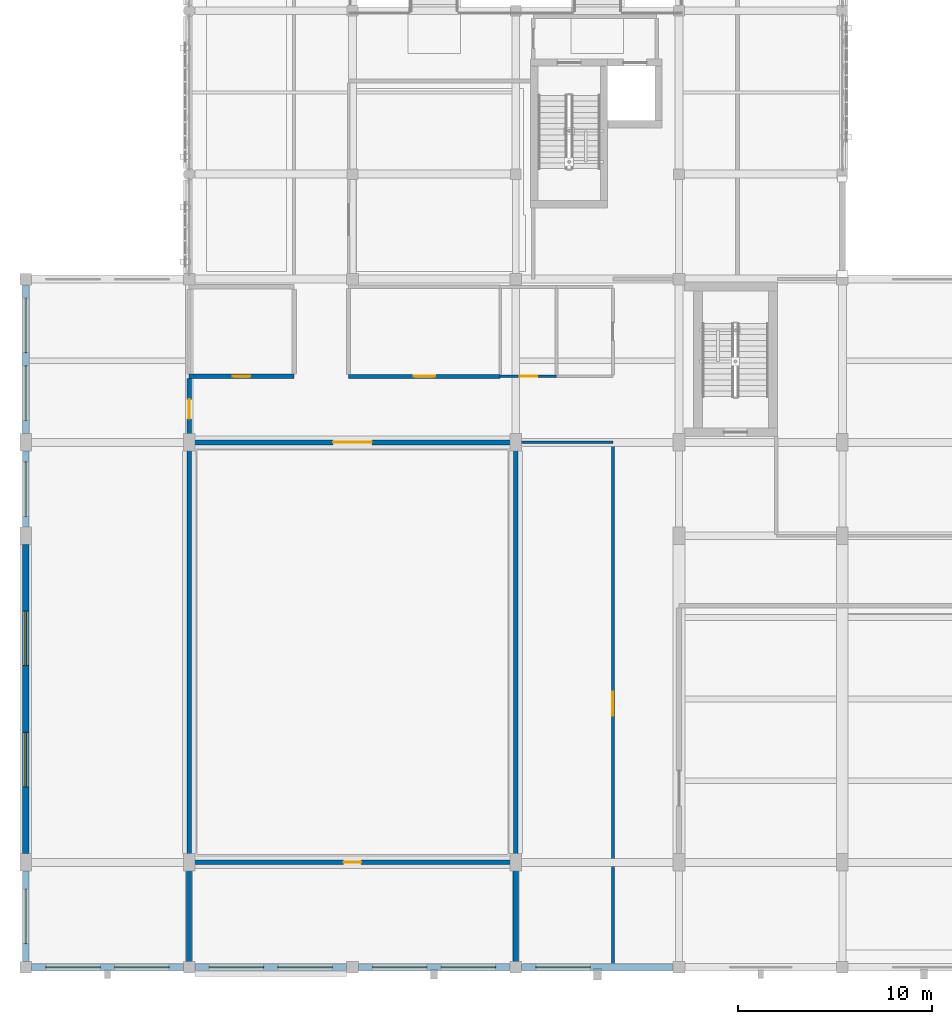
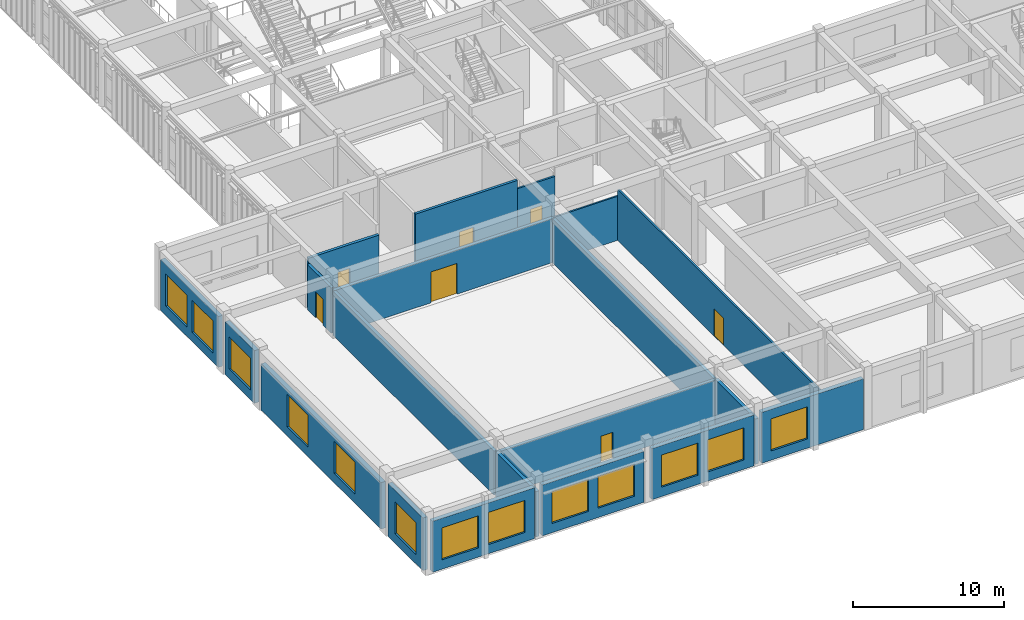
# One storey, part 71 of 93: 20 walls, 13 windows, 7 doors, 20 openings.
"""IFC4 building model written with IfcOpenShell, lengths in metres."""

import ifcopenshell
import ifcopenshell.guid

model = None  # the IFC model being written
_history = None  # IfcOwnerHistory: only IFC2X3 demands one
_inside = {}  # id of a spatial element -> (the spatial element, [elements in it])
_under = {}  # id of a project, library or spatial element -> (it, [spatial elements below it])
_declared = {}  # id of a project -> (the project, [libraries it declares])
_typed = {}  # id of a type object -> (the type object, [elements of that type])
_made_of = {}  # id of a material, layer set ... -> (it, [elements and type objects made of it])


def new_model(schema):
    """Start an empty IFC model of exactly this schema.

    Asked for "IFC4X3", IfcOpenShell would pick the latest addendum, in which some entities
    have other attributes; the version numbers below select the first issue.
    IFC2X3 requires an IfcOwnerHistory on every rooted entity: one is made here for all.
    """
    global model, _history
    if schema == "IFC4X3":
        model = ifcopenshell.file(schema_version=(4, 3, 0, 0))
    else:
        model = ifcopenshell.file(schema=schema)
    _inside.clear()
    _under.clear()
    _declared.clear()
    _typed.clear()
    _made_of.clear()
    _history = None
    if model.schema == "IFC2X3":
        org = make("IfcOrganization", Name="unknown")
        user = make(
            "IfcPersonAndOrganization",
            ThePerson=make("IfcPerson", FamilyName="unknown"),
            TheOrganization=org,
        )
        app = make(
            "IfcApplication",
            ApplicationDeveloper=org,
            Version="unknown",
            ApplicationFullName="unknown",
            ApplicationIdentifier="unknown",
        )
        _history = make(
            "IfcOwnerHistory",
            OwningUser=user,
            OwningApplication=app,
            ChangeAction="ADDED",
            CreationDate=0,
        )
    return model


def make(cls, **values):
    """One entity of the class cls with the attributes given. An attribute that is None is left unset."""
    return model.create_entity(
        cls, **{name: value for name, value in values.items() if value is not None}
    )


def rooted(cls, **values):
    """An entity with a GlobalId (a new one), such as an element, a storey or a relation."""
    return make(cls, GlobalId=ifcopenshell.guid.new(), OwnerHistory=_history, **values)


def si_unit(unit_type, name, prefix=None):
    """IfcSIUnit, for example si_unit("LENGTHUNIT", "METRE", prefix="MILLI")."""
    return make("IfcSIUnit", UnitType=unit_type, Prefix=prefix, Name=name)


def assignment(units):
    """IfcUnitAssignment: the units of a project."""
    return None if units is None else make("IfcUnitAssignment", Units=units)


def point(xyz):
    """IfcCartesianPoint."""
    return None if xyz is None else make("IfcCartesianPoint", Coordinates=xyz)


def direction(xyz):
    """IfcDirection."""
    return None if xyz is None else make("IfcDirection", DirectionRatios=xyz)


def frame(location, z_axis=None, x_axis=None):
    """IfcAxis2Placement3D, a coordinate frame: its origin and axes. An axis left out is left unset."""
    return make(
        "IfcAxis2Placement3D",
        Location=point(location),
        Axis=direction(z_axis),
        RefDirection=direction(x_axis),
    )


def frame_2d(location, x_axis=None):
    """IfcAxis2Placement2D, a coordinate frame in the plane: its origin and x axis."""
    return make(
        "IfcAxis2Placement2D", Location=point(location), RefDirection=direction(x_axis)
    )


def origin():
    """The frame at (0, 0, 0) with its axes left unset."""
    return frame((0.0, 0.0, 0.0))


def place(relative_to, where):
    """IfcLocalPlacement: puts the frame where relative to a parent placement (None: the world)."""
    return make(
        "IfcLocalPlacement", PlacementRelTo=relative_to, RelativePlacement=where
    )


def context(
    kind, dimensions, precision=None, world=None, true_north=None, identifier=None
):
    """IfcGeometricRepresentationContext, for example the 3D "Model" context."""
    return make(
        "IfcGeometricRepresentationContext",
        ContextIdentifier=identifier,
        ContextType=kind,
        CoordinateSpaceDimension=dimensions,
        Precision=precision,
        WorldCoordinateSystem=world,
        TrueNorth=true_north,
    )


def subcontext(parent, identifier, kind, view, scale=None):
    """IfcGeometricRepresentationSubContext, for example "Body" below "Model"."""
    return make(
        "IfcGeometricRepresentationSubContext",
        ContextIdentifier=identifier,
        ContextType=kind,
        ParentContext=parent,
        TargetScale=scale,
        TargetView=view,
    )


def project(units=None, contexts=None):
    """IfcProject with its units and contexts."""
    return rooted(
        "IfcProject",
        Name="project",
        RepresentationContexts=contexts,
        UnitsInContext=assignment(units),
    )


def spatial(cls, under=None, at=None, **own):
    """A site, building, storey or space (cls), placed at a placement, below another one or the project."""
    s = rooted(cls, ObjectPlacement=at, **own)
    if under is not None:
        _under.setdefault(under.id(), (under, []))[1].append(s)
    return s


def profile(cls, at=None, kind="AREA", **sizes):
    """A parametric profile (cls). Its sizes go by their IFC names, for example OverallWidth=200.0."""
    return make(cls, ProfileType=kind, Position=at, **sizes)


def rectangle(**sizes):
    """IfcRectangleProfileDef."""
    return profile("IfcRectangleProfileDef", **sizes)


def extrude(swept, where, along, depth):
    """IfcExtrudedAreaSolid: the profile swept, set in the frame where, extruded along a direction by depth."""
    return make(
        "IfcExtrudedAreaSolid",
        SweptArea=swept,
        Position=where,
        ExtrudedDirection=direction(along),
        Depth=depth,
    )


def shape(context_of_items, identifier, shape_type, items):
    """IfcShapeRepresentation: the items that make up one representation, for example the "Body"."""
    return make(
        "IfcShapeRepresentation",
        ContextOfItems=context_of_items,
        RepresentationIdentifier=identifier,
        RepresentationType=shape_type,
        Items=items,
    )


def material(Name=None, Category=None):
    """IfcMaterial."""
    return make("IfcMaterial", Name=Name, Category=Category)


def layer(
    of_material, thickness, ventilated=None, Name=None, Category=None, Priority=None
):
    """IfcMaterialLayer: one layer of a wall or slab, of a material (None: an air gap)."""
    return make(
        "IfcMaterialLayer",
        Material=of_material,
        LayerThickness=thickness,
        IsVentilated=ventilated,
        Name=Name,
        Category=Category,
        Priority=Priority,
    )


def layer_set(layers, Name=None):
    """IfcMaterialLayerSet."""
    return make("IfcMaterialLayerSet", MaterialLayers=layers, LayerSetName=Name)


def made_of(thing, what):
    """Note that an element or type object is made of a material, layer set ...; save() writes the relation."""
    if what is not None:
        _made_of.setdefault(what.id(), (what, []))[1].append(thing)
    return thing


def type_object(cls, material=None, **own):
    """A type object (cls), such as IfcWallType, which elements share."""
    return made_of(rooted(cls, **own), material)


def element(
    cls,
    number,
    at=None,
    inside=None,
    cuts=None,
    type_object=None,
    material=None,
    context=None,
    identifier="Body",
    shape_type=None,
    held_by="IfcProductDefinitionShape",
    body=None,
    shapes=None,
    **own,
):
    """One element of the class cls, such as IfcWall. Its Tag is "e" and its number.

    at: its placement. inside: the storey or other place that contains it. cuts: it is an
    opening in that element (IfcRelVoidsElement). A single representation is given by context,
    identifier, shape_type and body (its items); several are given by shapes. held_by: the class
    of the entity that holds the representations. save() writes the other relations.
    """
    e = rooted(cls, Tag="e%d" % number, ObjectPlacement=at, **own)
    if body is not None:
        shapes = [shape(context, identifier, shape_type, body)]
    if shapes is not None:
        e.Representation = make(held_by, Representations=shapes)
    if inside is not None:
        _inside.setdefault(inside.id(), (inside, []))[1].append(e)
    if cuts is not None:
        rooted(
            "IfcRelVoidsElement", RelatingBuildingElement=cuts, RelatedOpeningElement=e
        )
    if type_object is not None:
        _typed.setdefault(type_object.id(), (type_object, []))[1].append(e)
    return made_of(e, material)


def fill(opening, filler):
    """IfcRelFillsElement: the door or window that sits in an opening."""
    return rooted(
        "IfcRelFillsElement",
        RelatingOpeningElement=opening,
        RelatedBuildingElement=filler,
    )


def aggregate(whole, parts):
    """IfcRelAggregates: a whole, such as a stair, and the parts it consists of."""
    return rooted("IfcRelAggregates", RelatingObject=whole, RelatedObjects=parts)


def save(model, path):
    """Write the relations noted so far, then the file.

    IfcRelAggregates (storeys below a building ...), IfcRelContainedInSpatialStructure (elements
    in a storey), IfcRelDefinesByType, IfcRelAssociatesMaterial and IfcRelDeclares: one each for
    every whole, place, type object, material and project.
    """
    for whole, parts in _under.values():
        aggregate(whole, parts)
    for where, things in _inside.values():
        rooted(
            "IfcRelContainedInSpatialStructure",
            RelatedElements=things,
            RelatingStructure=where,
        )
    for kind, things in _typed.values():
        rooted("IfcRelDefinesByType", RelatedObjects=things, RelatingType=kind)
    for what, things in _made_of.values():
        rooted("IfcRelAssociatesMaterial", RelatedObjects=things, RelatingMaterial=what)
    for by, libraries in _declared.values():
        rooted("IfcRelDeclares", RelatingContext=by, RelatedDefinitions=libraries)
    model.write(path)


model = new_model("IFC4")

# Units and contexts
model_context = context("Model", 3, precision=1e-05, world=origin(), true_north=direction((0.0, 1.0)))
body_context = subcontext(model_context, "Body", "Model", "MODEL_VIEW")
ifc_project = project(units=[si_unit("LENGTHUNIT", "METRE"), si_unit("AREAUNIT", "SQUARE_METRE"), si_unit("VOLUMEUNIT", "CUBIC_METRE"), si_unit("PLANEANGLEUNIT", "RADIAN"), si_unit("MASSUNIT", "GRAM", prefix="KILO")], contexts=[model_context])

# Site, building, storey
site_placement = place(None, origin())
site = spatial("IfcSite", under=ifc_project, at=site_placement, CompositionType="ELEMENT")
building_placement = place(site_placement, origin())
building = spatial("IfcBuilding", under=site, at=building_placement, Name="Krzemoval Escarpment Law Courts", CompositionType="ELEMENT")
storey_placement = place(building_placement, frame((0.0, 0.0, 10.199951171875)))
storey = spatial("IfcBuildingStorey", under=building, at=storey_placement, Name="L02", CompositionType="ELEMENT", Elevation=10.199951171875)

# Wall, opening, window
ifc_material_1 = material(Name="Precast concrete C40/50", Category="concrete")
ifc_layer_1 = layer(ifc_material_1, 0.340087890625)
ifc_layer_set_1 = layer_set([ifc_layer_1], Name="Precast concrete C40/50")
wall_type_1 = type_object("IfcWallType", Name="WL-EXT-340", PredefinedType="SOLIDWALL", material=ifc_layer_set_1)
wall_1_placement = place(storey_placement, frame((33.300048828125, 0.0, 0.0), z_axis=(0.0, 0.0, 1.0), x_axis=(-1.0, 0.0, 0.0)))
wall_1 = element("IfcWall", 1, at=wall_1_placement, inside=storey, type_object=wall_type_1, Name="Exterior Wall EW-L02-0302", PredefinedType="SOLIDWALL", context=body_context, shape_type="SweptSolid", body=[
    extrude(rectangle(XDim=7.800048828125, YDim=0.340087890625, at=frame_2d((3.89990234375, 0.0))), origin(), (0.0, 0.0, 1.0), 4.1201171875),
])
opening_1_placement = place(wall_1_placement, frame((4.26708984375, 0.0, 0.75)))
opening_1 = element("IfcOpeningElement", 2, at=opening_1_placement, cuts=wall_1, Name="Opening WN-L02-0325", PredefinedType="OPENING", context=body_context, shape_type="SweptSolid", body=[
    extrude(rectangle(XDim=2.800048828125, YDim=2.60009765625, at=frame_2d((1.39990234375, 1.300048828125))), frame((0.0, 0.18504, 0.0), z_axis=(0.0, -1.0, 0.0), x_axis=(1.0, 0.0, 0.0)), (0.0, 0.0, 1.0), 0.37009),
])
ifc_material_2 = material(Name="Thermally Broken Aluminium Frame with Triple Low-E Acoustic Glass", Category="aluminium")
window_type = type_object("IfcWindowType", Name="WN-2800x2600", PartitioningType="SINGLE_PANEL", PredefinedType="WINDOW", material=ifc_material_2)
window_1_placement = place(opening_1_placement, origin())
window_1 = element("IfcWindow", 3, at=window_1_placement, inside=storey, type_object=window_type, Name="Facade Window WN-L02-0325", OverallHeight=2.60009765625, OverallWidth=2.800048828125, PartitioningType="SINGLE_PANEL", PredefinedType="WINDOW", context=body_context, shape_type="SweptSolid", body=[
    extrude(rectangle(XDim=2.800048828125, YDim=2.60009765625, at=frame_2d((1.39990234375, 1.300048828125))), frame((0.0, 0.030029296875, 0.0), z_axis=(0.0, -1.0, 0.0), x_axis=(1.0, 0.0, 0.0)), (0.0, 0.0, 1.0), 0.06005859375),
])
fill(opening_1, window_1)

# Wall, openings, windows
wall_2_placement = place(storey_placement, frame((24.89990234375, 0.0, 0.0), z_axis=(0.0, 0.0, 1.0), x_axis=(-1.0, 0.0, 0.0)))
wall_2 = element("IfcWall", 4, at=wall_2_placement, inside=storey, type_object=wall_type_1, Name="Exterior Wall EW-L02-0303", PredefinedType="SOLIDWALL", context=body_context, shape_type="SweptSolid", body=[
    extrude(rectangle(XDim=7.7998046875, YDim=0.340087890625, at=frame_2d((3.89990234375, 0.0))), origin(), (0.0, 0.0, 1.0), 4.1201171875),
])
opening_2_placement = place(wall_2_placement, frame((0.73291015625, 0.0, 0.75)))
opening_2 = element("IfcOpeningElement", 5, at=opening_2_placement, cuts=wall_2, Name="Opening WN-L02-0326", PredefinedType="OPENING", context=body_context, shape_type="SweptSolid", body=[
    extrude(rectangle(XDim=2.800048828125, YDim=2.60009765625, at=frame_2d((1.39990234375, 1.300048828125))), frame((0.0, 0.18504, 0.0), z_axis=(0.0, -1.0, 0.0), x_axis=(1.0, 0.0, 0.0)), (0.0, 0.0, 1.0), 0.37009),
])
opening_3_placement = place(wall_2_placement, frame((4.26708984375, 0.0, 0.75)))
opening_3 = element("IfcOpeningElement", 6, at=opening_3_placement, cuts=wall_2, Name="Opening WN-L02-0327", PredefinedType="OPENING", context=body_context, shape_type="SweptSolid", body=[
    extrude(rectangle(XDim=2.800048828125, YDim=2.60009765625, at=frame_2d((1.39990234375, 1.300048828125))), frame((0.0, 0.18504, 0.0), z_axis=(0.0, -1.0, 0.0), x_axis=(1.0, 0.0, 0.0)), (0.0, 0.0, 1.0), 0.37009),
])
window_2_placement = place(opening_2_placement, origin())
window_2 = element("IfcWindow", 7, at=window_2_placement, inside=storey, type_object=window_type, Name="Facade Window WN-L02-0326", OverallHeight=2.60009765625, OverallWidth=2.800048828125, PartitioningType="SINGLE_PANEL", PredefinedType="WINDOW", context=body_context, shape_type="SweptSolid", body=[
    extrude(rectangle(XDim=2.800048828125, YDim=2.60009765625, at=frame_2d((1.39990234375, 1.300048828125))), frame((0.0, 0.030029296875, 0.0), z_axis=(0.0, -1.0, 0.0), x_axis=(1.0, 0.0, 0.0)), (0.0, 0.0, 1.0), 0.06005859375),
])
fill(opening_2, window_2)
window_3_placement = place(opening_3_placement, origin())
window_3 = element("IfcWindow", 8, at=window_3_placement, inside=storey, type_object=window_type, Name="Facade Window WN-L02-0327", OverallHeight=2.60009765625, OverallWidth=2.800048828125, PartitioningType="SINGLE_PANEL", PredefinedType="WINDOW", context=body_context, shape_type="SweptSolid", body=[
    extrude(rectangle(XDim=2.800048828125, YDim=2.60009765625, at=frame_2d((1.39990234375, 1.300048828125))), frame((0.0, 0.030029296875, 0.0), z_axis=(0.0, -1.0, 0.0), x_axis=(1.0, 0.0, 0.0)), (0.0, 0.0, 1.0), 0.06005859375),
])
fill(opening_3, window_3)

wall_3_placement = place(storey_placement, frame((16.5, 0.0, 0.0), z_axis=(0.0, 0.0, 1.0), x_axis=(-1.0, 0.0, 0.0)))
wall_3 = element("IfcWall", 9, at=wall_3_placement, inside=storey, type_object=wall_type_1, Name="Exterior Wall EW-L02-0304", PredefinedType="SOLIDWALL", context=body_context, shape_type="SweptSolid", body=[
    extrude(rectangle(XDim=7.800048828125, YDim=0.340087890625, at=frame_2d((3.89990234375, 0.0))), origin(), (0.0, 0.0, 1.0), 4.1201171875),
])
opening_4_placement = place(wall_3_placement, frame((0.73291015625, 0.0, 0.75)))
opening_4 = element("IfcOpeningElement", 10, at=opening_4_placement, cuts=wall_3, Name="Opening WN-L02-0328", PredefinedType="OPENING", context=body_context, shape_type="SweptSolid", body=[
    extrude(rectangle(XDim=2.800048828125, YDim=2.60009765625, at=frame_2d((1.39990234375, 1.300048828125))), frame((0.0, 0.18504, 0.0), z_axis=(0.0, -1.0, 0.0), x_axis=(1.0, 0.0, 0.0)), (0.0, 0.0, 1.0), 0.37009),
])
opening_5_placement = place(wall_3_placement, frame((4.26708984375, 0.0, 0.75)))
opening_5 = element("IfcOpeningElement", 11, at=opening_5_placement, cuts=wall_3, Name="Opening WN-L02-0329", PredefinedType="OPENING", context=body_context, shape_type="SweptSolid", body=[
    extrude(rectangle(XDim=2.800048828125, YDim=2.60009765625, at=frame_2d((1.39990234375, 1.300048828125))), frame((0.0, 0.18504, 0.0), z_axis=(0.0, -1.0, 0.0), x_axis=(1.0, 0.0, 0.0)), (0.0, 0.0, 1.0), 0.37009),
])
window_4_placement = place(opening_4_placement, origin())
window_4 = element("IfcWindow", 12, at=window_4_placement, inside=storey, type_object=window_type, Name="Facade Window WN-L02-0328", OverallHeight=2.60009765625, OverallWidth=2.800048828125, PartitioningType="SINGLE_PANEL", PredefinedType="WINDOW", context=body_context, shape_type="SweptSolid", body=[
    extrude(rectangle(XDim=2.800048828125, YDim=2.60009765625, at=frame_2d((1.39990234375, 1.300048828125))), frame((0.0, 0.030029296875, 0.0), z_axis=(0.0, -1.0, 0.0), x_axis=(1.0, 0.0, 0.0)), (0.0, 0.0, 1.0), 0.06005859375),
])
fill(opening_4, window_4)
window_5_placement = place(opening_5_placement, origin())
window_5 = element("IfcWindow", 13, at=window_5_placement, inside=storey, type_object=window_type, Name="Facade Window WN-L02-0329", OverallHeight=2.60009765625, OverallWidth=2.800048828125, PartitioningType="SINGLE_PANEL", PredefinedType="WINDOW", context=body_context, shape_type="SweptSolid", body=[
    extrude(rectangle(XDim=2.800048828125, YDim=2.60009765625, at=frame_2d((1.39990234375, 1.300048828125))), frame((0.0, 0.030029296875, 0.0), z_axis=(0.0, -1.0, 0.0), x_axis=(1.0, 0.0, 0.0)), (0.0, 0.0, 1.0), 0.06005859375),
])
fill(opening_5, window_5)

wall_4_placement = place(storey_placement, frame((8.10009765625, 0.0, 0.0), z_axis=(0.0, 0.0, 1.0), x_axis=(-1.0, 0.0, 0.0)))
wall_4 = element("IfcWall", 14, at=wall_4_placement, inside=storey, type_object=wall_type_1, Name="Exterior Wall EW-L02-0305", PredefinedType="SOLIDWALL", context=body_context, shape_type="SweptSolid", body=[
    extrude(rectangle(XDim=7.800048828125, YDim=0.340087890625, at=frame_2d((3.89990234375, 0.0))), origin(), (0.0, 0.0, 1.0), 4.1201171875),
])
opening_6_placement = place(wall_4_placement, frame((0.73291015625, 0.0, 0.75)))
opening_6 = element("IfcOpeningElement", 15, at=opening_6_placement, cuts=wall_4, Name="Opening WN-L02-0330", PredefinedType="OPENING", context=body_context, shape_type="SweptSolid", body=[
    extrude(rectangle(XDim=2.800048828125, YDim=2.60009765625, at=frame_2d((1.39990234375, 1.300048828125))), frame((0.0, 0.18504, 0.0), z_axis=(0.0, -1.0, 0.0), x_axis=(1.0, 0.0, 0.0)), (0.0, 0.0, 1.0), 0.37009),
])
opening_7_placement = place(wall_4_placement, frame((4.26708984375, 0.0, 0.75)))
opening_7 = element("IfcOpeningElement", 16, at=opening_7_placement, cuts=wall_4, Name="Opening WN-L02-0331", PredefinedType="OPENING", context=body_context, shape_type="SweptSolid", body=[
    extrude(rectangle(XDim=2.800048828125, YDim=2.60009765625, at=frame_2d((1.39990234375, 1.300048828125))), frame((0.0, 0.18504, 0.0), z_axis=(0.0, -1.0, 0.0), x_axis=(1.0, 0.0, 0.0)), (0.0, 0.0, 1.0), 0.37009),
])
window_6_placement = place(opening_6_placement, origin())
window_6 = element("IfcWindow", 17, at=window_6_placement, inside=storey, type_object=window_type, Name="Facade Window WN-L02-0330", OverallHeight=2.60009765625, OverallWidth=2.800048828125, PartitioningType="SINGLE_PANEL", PredefinedType="WINDOW", context=body_context, shape_type="SweptSolid", body=[
    extrude(rectangle(XDim=2.800048828125, YDim=2.60009765625, at=frame_2d((1.39990234375, 1.300048828125))), frame((0.0, 0.030029296875, 0.0), z_axis=(0.0, -1.0, 0.0), x_axis=(1.0, 0.0, 0.0)), (0.0, 0.0, 1.0), 0.06005859375),
])
fill(opening_6, window_6)
window_7_placement = place(opening_7_placement, origin())
window_7 = element("IfcWindow", 18, at=window_7_placement, inside=storey, type_object=window_type, Name="Facade Window WN-L02-0331", OverallHeight=2.60009765625, OverallWidth=2.800048828125, PartitioningType="SINGLE_PANEL", PredefinedType="WINDOW", context=body_context, shape_type="SweptSolid", body=[
    extrude(rectangle(XDim=2.800048828125, YDim=2.60009765625, at=frame_2d((1.39990234375, 1.300048828125))), frame((0.0, 0.030029296875, 0.0), z_axis=(0.0, -1.0, 0.0), x_axis=(1.0, 0.0, 0.0)), (0.0, 0.0, 1.0), 0.06005859375),
])
fill(opening_7, window_7)

# Wall, opening, window
wall_5_placement = place(storey_placement, frame((0.0, 0.300048828125, 0.0), z_axis=(0.0, 0.0, 1.0), x_axis=(0.0, 1.0, 0.0)))
wall_5 = element("IfcWall", 19, at=wall_5_placement, inside=storey, type_object=wall_type_1, Name="Exterior Wall EW-L02-0306", PredefinedType="SOLIDWALL", context=body_context, shape_type="SweptSolid", body=[
    extrude(rectangle(XDim=4.64990234375, YDim=0.340087890625, at=frame_2d((2.324951171875, 0.0))), origin(), (0.0, 0.0, 1.0), 4.27001953125),
])
opening_8_placement = place(wall_5_placement, frame((0.925048828125, 0.0, 0.75)))
opening_8 = element("IfcOpeningElement", 20, at=opening_8_placement, cuts=wall_5, Name="Opening WN-L02-0332", PredefinedType="OPENING", context=body_context, shape_type="SweptSolid", body=[
    extrude(rectangle(XDim=2.800048828125, YDim=2.60009765625, at=frame_2d((1.39990234375, 1.300048828125))), frame((0.0, 0.18504, 0.0), z_axis=(0.0, -1.0, 0.0), x_axis=(1.0, 0.0, 0.0)), (0.0, 0.0, 1.0), 0.37009),
])
window_8_placement = place(opening_8_placement, origin())
window_8 = element("IfcWindow", 21, at=window_8_placement, inside=storey, type_object=window_type, Name="Facade Window WN-L02-0332", OverallHeight=2.60009765625, OverallWidth=2.800048828125, PartitioningType="SINGLE_PANEL", PredefinedType="WINDOW", context=body_context, shape_type="SweptSolid", body=[
    extrude(rectangle(XDim=2.800048828125, YDim=2.60009765625, at=frame_2d((1.39990234375, 1.300048828125))), frame((0.0, 0.030029296875, 0.0), z_axis=(0.0, -1.0, 0.0), x_axis=(1.0, 0.0, 0.0)), (0.0, 0.0, 1.0), 0.06005859375),
])
fill(opening_8, window_8)

# Wall, openings, windows
wall_6_placement = place(storey_placement, frame((0.0, 5.85009765625, 0.0), z_axis=(0.0, 0.0, 1.0), x_axis=(0.0, 1.0, 0.0)))
wall_6 = element("IfcWall", 22, at=wall_6_placement, inside=storey, type_object=wall_type_1, Name="Exterior Wall EW-L02-0307", PredefinedType="SOLIDWALL", context=body_context, shape_type="SweptSolid", body=[
    extrude(rectangle(XDim=15.89990234375, YDim=0.340087890625, at=frame_2d((7.949951171875, 0.0))), origin(), (0.0, 0.0, 1.0), 3.77001953125),
])
opening_9_placement = place(wall_6_placement, frame((3.43310546875, 0.0, 0.75)))
opening_9 = element("IfcOpeningElement", 23, at=opening_9_placement, cuts=wall_6, Name="Opening WN-L02-0333", PredefinedType="OPENING", context=body_context, shape_type="SweptSolid", body=[
    extrude(rectangle(XDim=2.800048828125, YDim=2.60009765625, at=frame_2d((1.39990234375, 1.300048828125))), frame((0.0, 0.18504, 0.0), z_axis=(0.0, -1.0, 0.0), x_axis=(1.0, 0.0, 0.0)), (0.0, 0.0, 1.0), 0.37009),
])
opening_10_placement = place(wall_6_placement, frame((9.6669921875, 0.0, 0.75)))
opening_10 = element("IfcOpeningElement", 24, at=opening_10_placement, cuts=wall_6, Name="Opening WN-L02-0334", PredefinedType="OPENING", context=body_context, shape_type="SweptSolid", body=[
    extrude(rectangle(XDim=2.800048828125, YDim=2.60009765625, at=frame_2d((1.39990234375, 1.300048828125))), frame((0.0, 0.18504, 0.0), z_axis=(0.0, -1.0, 0.0), x_axis=(1.0, 0.0, 0.0)), (0.0, 0.0, 1.0), 0.37009),
])
window_9_placement = place(opening_9_placement, origin())
window_9 = element("IfcWindow", 25, at=window_9_placement, inside=storey, type_object=window_type, Name="Facade Window WN-L02-0333", OverallHeight=2.60009765625, OverallWidth=2.800048828125, PartitioningType="SINGLE_PANEL", PredefinedType="WINDOW", context=body_context, shape_type="SweptSolid", body=[
    extrude(rectangle(XDim=2.800048828125, YDim=2.60009765625, at=frame_2d((1.39990234375, 1.300048828125))), frame((0.0, 0.030029296875, 0.0), z_axis=(0.0, -1.0, 0.0), x_axis=(1.0, 0.0, 0.0)), (0.0, 0.0, 1.0), 0.06005859375),
])
fill(opening_9, window_9)
window_10_placement = place(opening_10_placement, origin())
window_10 = element("IfcWindow", 26, at=window_10_placement, inside=storey, type_object=window_type, Name="Facade Window WN-L02-0334", OverallHeight=2.60009765625, OverallWidth=2.800048828125, PartitioningType="SINGLE_PANEL", PredefinedType="WINDOW", context=body_context, shape_type="SweptSolid", body=[
    extrude(rectangle(XDim=2.800048828125, YDim=2.60009765625, at=frame_2d((1.39990234375, 1.300048828125))), frame((0.0, 0.030029296875, 0.0), z_axis=(0.0, -1.0, 0.0), x_axis=(1.0, 0.0, 0.0)), (0.0, 0.0, 1.0), 0.06005859375),
])
fill(opening_10, window_10)

# Wall, opening, window
wall_7_placement = place(storey_placement, frame((0.0, 22.64990234375, 0.0), z_axis=(0.0, 0.0, 1.0), x_axis=(0.0, 1.0, 0.0)))
wall_7 = element("IfcWall", 27, at=wall_7_placement, inside=storey, type_object=wall_type_1, Name="Exterior Wall EW-L02-0308", PredefinedType="SOLIDWALL", context=body_context, shape_type="SweptSolid", body=[
    extrude(rectangle(XDim=3.900146484375, YDim=0.340087890625, at=frame_2d((1.9501953125, 0.0))), origin(), (0.0, 0.0, 1.0), 4.27001953125),
])
opening_11_placement = place(wall_7_placement, frame((0.550048828125, 0.0, 0.75)))
opening_11 = element("IfcOpeningElement", 28, at=opening_11_placement, cuts=wall_7, Name="Opening WN-L02-0335", PredefinedType="OPENING", context=body_context, shape_type="SweptSolid", body=[
    extrude(rectangle(XDim=2.800048828125, YDim=2.60009765625, at=frame_2d((1.39990234375, 1.300048828125))), frame((0.0, 0.18504, 0.0), z_axis=(0.0, -1.0, 0.0), x_axis=(1.0, 0.0, 0.0)), (0.0, 0.0, 1.0), 0.37009),
])
window_11_placement = place(opening_11_placement, origin())
window_11 = element("IfcWindow", 29, at=window_11_placement, inside=storey, type_object=window_type, Name="Facade Window WN-L02-0335", OverallHeight=2.60009765625, OverallWidth=2.800048828125, PartitioningType="SINGLE_PANEL", PredefinedType="WINDOW", context=body_context, shape_type="SweptSolid", body=[
    extrude(rectangle(XDim=2.800048828125, YDim=2.60009765625, at=frame_2d((1.39990234375, 1.300048828125))), frame((0.0, 0.030029296875, 0.0), z_axis=(0.0, -1.0, 0.0), x_axis=(1.0, 0.0, 0.0)), (0.0, 0.0, 1.0), 0.06005859375),
])
fill(opening_11, window_11)

# Wall, openings, windows
wall_8_placement = place(storey_placement, frame((0.0, 27.449951171875, 0.0), z_axis=(0.0, 0.0, 1.0), x_axis=(0.0, 1.0, 0.0)))
wall_8 = element("IfcWall", 30, at=wall_8_placement, inside=storey, type_object=wall_type_1, Name="Exterior Wall EW-L02-0309", PredefinedType="SOLIDWALL", context=body_context, shape_type="SweptSolid", body=[
    extrude(rectangle(XDim=7.650146484375, YDim=0.340087890625, at=frame_2d((3.8251953125, 0.0))), origin(), (0.0, 0.0, 1.0), 4.1201171875),
])
opening_12_placement = place(wall_8_placement, frame((0.68310546875, 0.0, 0.75)))
opening_12 = element("IfcOpeningElement", 31, at=opening_12_placement, cuts=wall_8, Name="Opening WN-L02-0336", PredefinedType="OPENING", context=body_context, shape_type="SweptSolid", body=[
    extrude(rectangle(XDim=2.800048828125, YDim=2.60009765625, at=frame_2d((1.39990234375, 1.300048828125))), frame((0.0, 0.18504, 0.0), z_axis=(0.0, -1.0, 0.0), x_axis=(1.0, 0.0, 0.0)), (0.0, 0.0, 1.0), 0.37009),
])
opening_13_placement = place(wall_8_placement, frame((4.1669921875, 0.0, 0.75)))
opening_13 = element("IfcOpeningElement", 32, at=opening_13_placement, cuts=wall_8, Name="Opening WN-L02-0337", PredefinedType="OPENING", context=body_context, shape_type="SweptSolid", body=[
    extrude(rectangle(XDim=2.800048828125, YDim=2.60009765625, at=frame_2d((1.39990234375, 1.300048828125))), frame((0.0, 0.18504, 0.0), z_axis=(0.0, -1.0, 0.0), x_axis=(1.0, 0.0, 0.0)), (0.0, 0.0, 1.0), 0.37009),
])
window_12_placement = place(opening_12_placement, origin())
window_12 = element("IfcWindow", 33, at=window_12_placement, inside=storey, type_object=window_type, Name="Facade Window WN-L02-0336", OverallHeight=2.60009765625, OverallWidth=2.800048828125, PartitioningType="SINGLE_PANEL", PredefinedType="WINDOW", context=body_context, shape_type="SweptSolid", body=[
    extrude(rectangle(XDim=2.800048828125, YDim=2.60009765625, at=frame_2d((1.39990234375, 1.300048828125))), frame((0.0, 0.030029296875, 0.0), z_axis=(0.0, -1.0, 0.0), x_axis=(1.0, 0.0, 0.0)), (0.0, 0.0, 1.0), 0.06005859375),
])
fill(opening_12, window_12)
window_13_placement = place(opening_13_placement, origin())
window_13 = element("IfcWindow", 34, at=window_13_placement, inside=storey, type_object=window_type, Name="Facade Window WN-L02-0337", OverallHeight=2.60009765625, OverallWidth=2.800048828125, PartitioningType="SINGLE_PANEL", PredefinedType="WINDOW", context=body_context, shape_type="SweptSolid", body=[
    extrude(rectangle(XDim=2.800048828125, YDim=2.60009765625, at=frame_2d((1.39990234375, 1.300048828125))), frame((0.0, 0.030029296875, 0.0), z_axis=(0.0, -1.0, 0.0), x_axis=(1.0, 0.0, 0.0)), (0.0, 0.0, 1.0), 0.06005859375),
])
fill(opening_13, window_13)

# Wall
ifc_material_3 = material(Name="Standard Metal-Stud Gypsum Partition", Category="gypsum")
ifc_layer_2 = layer(ifc_material_3, 0.125)
ifc_layer_set_2 = layer_set([ifc_layer_2], Name="Standard Metal-Stud Gypsum Partition")
wall_type_2 = type_object("IfcWallType", Name="WL-PRT-125", PredefinedType="PARTITIONING", material=ifc_layer_set_2)
wall_9_placement = place(storey_placement, frame((25.199951171875, 27.0, 0.0), z_axis=(0.0, 0.0, 1.0), x_axis=(1.0, 0.0, 0.0)))
element("IfcWall", 35, at=wall_9_placement, inside=storey, type_object=wall_type_2, Name="Interior Partition PW-L02-0382", PredefinedType="PARTITIONING", context=body_context, shape_type="SweptSolid", body=[
    extrude(rectangle(XDim=5.0, YDim=0.125, at=frame_2d((2.5, 0.0))), origin(), (0.0, 0.0, 1.0), 3.570068359375),
])

# Wall, opening, door
ifc_material_4 = material(Name="Sanitary Moisture-Resistant Partition", Category="gypsum")
ifc_layer_3 = layer(ifc_material_4, 0.139892578125)
ifc_layer_set_3 = layer_set([ifc_layer_3], Name="Sanitary Moisture-Resistant Partition")
wall_type_3 = type_object("IfcWallType", Name="WL-PRT-140", PredefinedType="PARTITIONING", material=ifc_layer_set_3)
wall_10_placement = place(storey_placement, frame((24.39990234375, 30.39990234375, 0.0), z_axis=(0.0, 0.0, 1.0), x_axis=(1.0, 0.0, 0.0)))
wall_10 = element("IfcWall", 36, at=wall_10_placement, inside=storey, type_object=wall_type_3, Name="Interior Partition PW-L02-0387", PredefinedType="PARTITIONING", context=body_context, shape_type="SweptSolid", body=[
    extrude(rectangle(XDim=2.900146484375, YDim=0.139892578125, at=frame_2d((1.4501953125, 0.0))), origin(), (0.0, 0.0, 1.0), 4.1201171875),
])
opening_14_placement = place(wall_10_placement, frame((1.0, 0.0, 0.0)))
opening_14 = element("IfcOpeningElement", 37, at=opening_14_placement, cuts=wall_10, Name="Opening D-L02-0138", PredefinedType="OPENING", context=body_context, shape_type="SweptSolid", body=[
    extrude(rectangle(XDim=0.89990234375, YDim=2.10009765625, at=frame_2d((0.449951171875, 1.050048828125))), frame((0.0, 0.08495, 0.0), z_axis=(0.0, -1.0, 0.0), x_axis=(1.0, 0.0, 0.0)), (0.0, 0.0, 1.0), 0.16989),
])
ifc_material_5 = material(Name="Engineered Solid-Core Oak Acoustic Timber", Category="wood")
door_type_1 = type_object("IfcDoorType", Name="DR-INT-900x2100", OperationType="SINGLE_SWING_LEFT", PredefinedType="DOOR", material=ifc_material_5)
door_1_placement = place(opening_14_placement, origin())
door_1 = element("IfcDoor", 38, at=door_1_placement, inside=storey, type_object=door_type_1, Name="Room Door D-L02-0138", OperationType="SINGLE_SWING_RIGHT", OverallHeight=2.10009765625, OverallWidth=0.89990234375, PredefinedType="DOOR", context=body_context, shape_type="SweptSolid", body=[
    extrude(rectangle(XDim=0.89990234375, YDim=2.10009765625, at=frame_2d((0.449951171875, 1.050048828125))), frame((0.0, 0.02490234375, 0.0), z_axis=(0.0, -1.0, 0.0), x_axis=(1.0, 0.0, 0.0)), (0.0, 0.0, 1.0), 0.050048828125),
])
fill(opening_14, door_1)

wall_11_placement = place(storey_placement, frame((30.199951171875, 0.172119140625, 0.0), z_axis=(0.0, 0.0, 1.0), x_axis=(0.0, 1.0, 0.0)))
wall_11 = element("IfcWall", 39, at=wall_11_placement, inside=storey, type_object=wall_type_3, Name="Interior Partition PW-L02-0436", PredefinedType="PARTITIONING", context=body_context, shape_type="SweptSolid", body=[
    extrude(rectangle(XDim=26.763916015625, YDim=0.139892578125, at=frame_2d((13.3818359375, 0.0))), origin(), (0.0, 0.0, 1.0), 4.1201171875),
])
opening_15_placement = place(wall_11_placement, frame((12.757080078125, 0.0, 0.0)))
opening_15 = element("IfcOpeningElement", 40, at=opening_15_placement, cuts=wall_11, Name="Opening D-L02-0135", PredefinedType="OPENING", context=body_context, shape_type="SweptSolid", body=[
    extrude(rectangle(XDim=1.25, YDim=2.199951171875, at=frame_2d((0.625, 1.10009765625))), frame((0.0, 0.08495, 0.0), z_axis=(0.0, -1.0, 0.0), x_axis=(1.0, 0.0, 0.0)), (0.0, 0.0, 1.0), 0.16989),
])
ifc_material_6 = material(Name="Engineered Solid-Core Oak Acoustic Timber", Category="wood")
door_type_2 = type_object("IfcDoorType", Name="DR-INT-1250x2200", OperationType="SINGLE_SWING_LEFT", PredefinedType="DOOR", material=ifc_material_6)
door_2_placement = place(opening_15_placement, origin())
door_2 = element("IfcDoor", 41, at=door_2_placement, inside=storey, type_object=door_type_2, Name="Room Door D-L02-0135", OperationType="SINGLE_SWING_LEFT", OverallHeight=2.199951171875, OverallWidth=1.25, PredefinedType="DOOR", context=body_context, shape_type="SweptSolid", body=[
    extrude(rectangle(XDim=1.25, YDim=2.199951171875, at=frame_2d((0.625, 1.10009765625))), frame((0.0, 0.02490234375, 0.0), z_axis=(0.0, -1.0, 0.0), x_axis=(1.0, 0.0, 0.0)), (0.0, 0.0, 1.0), 0.050048828125),
])
fill(opening_15, door_2)

ifc_material_7 = material(Name="Fire-Rated Corridor Partition Wall", Category="gypsum")
ifc_layer_4 = layer(ifc_material_7, 0.199951171875)
ifc_layer_set_4 = layer_set([ifc_layer_4], Name="Fire-Rated Corridor Partition Wall")
wall_type_4 = type_object("IfcWallType", Name="WL-PRT-200", PredefinedType="PARTITIONING", material=ifc_layer_set_4)
wall_12_placement = place(storey_placement, frame((16.60009765625, 30.39990234375, 0.0), z_axis=(0.0, 0.0, 1.0), x_axis=(1.0, 0.0, 0.0)))
wall_12 = element("IfcWall", 42, at=wall_12_placement, inside=storey, type_object=wall_type_4, Name="Interior Partition PW-L02-0386", PredefinedType="PARTITIONING", context=body_context, shape_type="SweptSolid", body=[
    extrude(rectangle(XDim=7.7998046875, YDim=0.199951171875, at=frame_2d((3.89990234375, 0.0))), origin(), (0.0, 0.0, 1.0), 4.820068359375),
])
opening_16_placement = place(wall_12_placement, frame((3.35009765625, 0.0, 0.0)))
opening_16 = element("IfcOpeningElement", 43, at=opening_16_placement, cuts=wall_12, Name="Opening D-L02-0137", PredefinedType="OPENING", context=body_context, shape_type="SweptSolid", body=[
    extrude(rectangle(XDim=1.10009765625, YDim=2.199951171875, at=frame_2d((0.550048828125, 1.10009765625))), frame((0.0, 0.11498, 0.0), z_axis=(0.0, -1.0, 0.0), x_axis=(1.0, 0.0, 0.0)), (0.0, 0.0, 1.0), 0.22995),
])
ifc_material_8 = material(Name="Engineered Solid-Core Oak Acoustic Timber", Category="wood")
door_type_3 = type_object("IfcDoorType", Name="DR-INT-1100x2200", OperationType="SINGLE_SWING_LEFT", PredefinedType="DOOR", material=ifc_material_8)
door_3_placement = place(opening_16_placement, origin())
door_3 = element("IfcDoor", 44, at=door_3_placement, inside=storey, type_object=door_type_3, Name="Room Door D-L02-0137", OperationType="SINGLE_SWING_LEFT", OverallHeight=2.199951171875, OverallWidth=1.10009765625, PredefinedType="DOOR", context=body_context, shape_type="SweptSolid", body=[
    extrude(rectangle(XDim=1.10009765625, YDim=2.199951171875, at=frame_2d((0.550048828125, 1.10009765625))), frame((0.0, 0.02490234375, 0.0), z_axis=(0.0, -1.0, 0.0), x_axis=(1.0, 0.0, 0.0)), (0.0, 0.0, 1.0), 0.050048828125),
])
fill(opening_16, door_3)

ifc_material_9 = material(Name="Solid Calcium-Silicate Custody Blockwork Partition", Category="masonry")
ifc_layer_5 = layer(ifc_material_9, 0.219970703125)
ifc_layer_set_5 = layer_set([ifc_layer_5], Name="Solid Calcium-Silicate Custody Blockwork Partition")
wall_type_5 = type_object("IfcWallType", Name="WL-PRT-220", PredefinedType="PARTITIONING", material=ifc_layer_set_5)
wall_13_placement = place(storey_placement, frame((8.39990234375, 30.39990234375, 0.0), z_axis=(0.0, 0.0, 1.0), x_axis=(1.0, 0.0, 0.0)))
wall_13 = element("IfcWall", 45, at=wall_13_placement, inside=storey, type_object=wall_type_5, Name="Interior Partition PW-L02-0385", PredefinedType="PARTITIONING", context=body_context, shape_type="SweptSolid", body=[
    extrude(rectangle(XDim=5.400146484375, YDim=0.219970703125, at=frame_2d((2.7001953125, 0.0))), origin(), (0.0, 0.0, 1.0), 4.1201171875),
])
opening_17_placement = place(wall_13_placement, frame((2.25, 0.0, 0.0)))
opening_17 = element("IfcOpeningElement", 46, at=opening_17_placement, cuts=wall_13, Name="Opening D-L02-0136", PredefinedType="OPENING", context=body_context, shape_type="SweptSolid", body=[
    extrude(rectangle(XDim=0.89990234375, YDim=2.199951171875, at=frame_2d((0.449951171875, 1.10009765625))), frame((0.0, 0.12499, 0.0), z_axis=(0.0, -1.0, 0.0), x_axis=(1.0, 0.0, 0.0)), (0.0, 0.0, 1.0), 0.24997),
])
ifc_material_10 = material(Name="Engineered Solid-Core Oak Acoustic Timber", Category="wood")
door_type_4 = type_object("IfcDoorType", Name="DR-INT-900x2200", OperationType="SINGLE_SWING_LEFT", PredefinedType="DOOR", material=ifc_material_10)
door_4_placement = place(opening_17_placement, origin())
door_4 = element("IfcDoor", 47, at=door_4_placement, inside=storey, type_object=door_type_4, Name="Room Door D-L02-0136", OperationType="SINGLE_SWING_RIGHT", OverallHeight=2.199951171875, OverallWidth=0.89990234375, PredefinedType="DOOR", context=body_context, shape_type="SweptSolid", body=[
    extrude(rectangle(XDim=0.89990234375, YDim=2.199951171875, at=frame_2d((0.449951171875, 1.10009765625))), frame((0.0, 0.02490234375, 0.0), z_axis=(0.0, -1.0, 0.0), x_axis=(1.0, 0.0, 0.0)), (0.0, 0.0, 1.0), 0.050048828125),
])
fill(opening_17, door_4)

wall_14_placement = place(storey_placement, frame((8.39990234375, 27.132080078125, 0.0), z_axis=(0.0, 0.0, 1.0), x_axis=(0.0, 1.0, 0.0)))
wall_14 = element("IfcWall", 48, at=wall_14_placement, inside=storey, type_object=wall_type_5, Name="Interior Partition PW-L02-0423", PredefinedType="PARTITIONING", context=body_context, shape_type="SweptSolid", body=[
    extrude(rectangle(XDim=3.156005859375, YDim=0.219970703125, at=frame_2d((1.578125, 0.0))), origin(), (0.0, 0.0, 1.0), 3.670166015625),
])
opening_18_placement = place(wall_14_placement, frame((1.077880859375, 0.0, 0.0)))
opening_18 = element("IfcOpeningElement", 49, at=opening_18_placement, cuts=wall_14, Name="Opening D-L02-0132", PredefinedType="OPENING", context=body_context, shape_type="SweptSolid", body=[
    extrude(rectangle(XDim=1.0, YDim=2.10009765625, at=frame_2d((0.5, 1.050048828125))), frame((0.0, 0.12499, 0.0), z_axis=(0.0, -1.0, 0.0), x_axis=(1.0, 0.0, 0.0)), (0.0, 0.0, 1.0), 0.24997),
])
ifc_material_11 = material(Name="Engineered Solid-Core Oak Acoustic Timber", Category="wood")
door_type_5 = type_object("IfcDoorType", Name="DR-INT-1000x2100", OperationType="SINGLE_SWING_LEFT", PredefinedType="DOOR", material=ifc_material_11)
door_5_placement = place(opening_18_placement, origin())
door_5 = element("IfcDoor", 50, at=door_5_placement, inside=storey, type_object=door_type_5, Name="Room Door D-L02-0132", OperationType="SINGLE_SWING_LEFT", OverallHeight=2.10009765625, OverallWidth=1.0, PredefinedType="DOOR", context=body_context, shape_type="SweptSolid", body=[
    extrude(rectangle(XDim=1.0, YDim=2.10009765625, at=frame_2d((0.5, 1.050048828125))), frame((0.0, 0.02490234375, 0.0), z_axis=(0.0, -1.0, 0.0), x_axis=(1.0, 0.0, 0.0)), (0.0, 0.0, 1.0), 0.050048828125),
])
fill(opening_18, door_5)

ifc_material_12 = material(Name="Acoustic Courtroom Partition Assembly", Category="gypsum")
ifc_layer_6 = layer(ifc_material_12, 0.239990234375)
ifc_layer_set_6 = layer_set([ifc_layer_6], Name="Acoustic Courtroom Partition Assembly")
wall_type_6 = type_object("IfcWallType", Name="WL-PRT-240", PredefinedType="PARTITIONING", material=ifc_layer_set_6)
wall_15_placement = place(storey_placement, frame((8.39990234375, 5.39990234375, 0.0), z_axis=(0.0, 0.0, 1.0), x_axis=(1.0, 0.0, 0.0)))
wall_15 = element("IfcWall", 51, at=wall_15_placement, inside=storey, type_object=wall_type_6, Name="Interior Partition PW-L02-0364", PredefinedType="PARTITIONING", context=body_context, shape_type="SweptSolid", body=[
    extrude(rectangle(XDim=16.800048828125, YDim=0.239990234375, at=frame_2d((8.39990234375, 0.0))), origin(), (0.0, 0.0, 1.0), 3.570068359375),
])
opening_19_placement = place(wall_15_placement, frame((7.949951171875, 0.0, 0.0)))
opening_19 = element("IfcOpeningElement", 52, at=opening_19_placement, cuts=wall_15, Name="Opening D-L02-0133", PredefinedType="OPENING", context=body_context, shape_type="SweptSolid", body=[
    extrude(rectangle(XDim=0.89990234375, YDim=2.10009765625, at=frame_2d((0.449951171875, 1.050048828125))), frame((0.0, 0.135, 0.0), z_axis=(0.0, -1.0, 0.0), x_axis=(1.0, 0.0, 0.0)), (0.0, 0.0, 1.0), 0.26999),
])
door_6_placement = place(opening_19_placement, origin())
door_6 = element("IfcDoor", 53, at=door_6_placement, inside=storey, type_object=door_type_1, Name="Room Door D-L02-0133", OperationType="SINGLE_SWING_RIGHT", OverallHeight=2.10009765625, OverallWidth=0.89990234375, PredefinedType="DOOR", context=body_context, shape_type="SweptSolid", body=[
    extrude(rectangle(XDim=0.89990234375, YDim=2.10009765625, at=frame_2d((0.449951171875, 1.050048828125))), frame((0.0, 0.02490234375, 0.0), z_axis=(0.0, -1.0, 0.0), x_axis=(1.0, 0.0, 0.0)), (0.0, 0.0, 1.0), 0.050048828125),
])
fill(opening_19, door_6)

# Walls
for number, where, z_axis, x_axis, name in (
    (54, (8.39990234375, 5.52197265625, 0.0), (0.0, 0.0, 1.0), (0.0, 1.0, 0.0), "Interior Partition PW-L02-0422"),
    (55, (25.199951171875, 5.52197265625, 0.0), (0.0, 0.0, 1.0), (0.0, 1.0, 0.0), "Interior Partition PW-L02-0432"),
):
    element("IfcWall", number, at=place(storey_placement, frame(where, z_axis=z_axis, x_axis=x_axis)), inside=storey, type_object=wall_type_6, Name=name, PredefinedType="PARTITIONING", context=body_context, shape_type="SweptSolid", body=[
        extrude(rectangle(XDim=21.345947265625, YDim=0.239990234375, at=frame_2d((10.6728515625, 0.0))), origin(), (0.0, 0.0, 1.0), 3.570068359375),
    ])

# Wall, opening, door
ifc_material_13 = material(Name="Acoustic Double-Stud Gypsum and Mineral Wool Wall", Category="gypsum")
ifc_layer_7 = layer(ifc_material_13, 0.260009765625)
ifc_layer_set_7 = layer_set([ifc_layer_7], Name="Acoustic Double-Stud Gypsum and Mineral Wool Wall")
wall_type_7 = type_object("IfcWallType", Name="WL-PRT-260", PredefinedType="PARTITIONING", material=ifc_layer_set_7)
wall_16_placement = place(storey_placement, frame((8.39990234375, 27.0, 0.0), z_axis=(0.0, 0.0, 1.0), x_axis=(1.0, 0.0, 0.0)))
wall_16 = element("IfcWall", 56, at=wall_16_placement, inside=storey, type_object=wall_type_7, Name="Interior Partition PW-L02-0381", PredefinedType="PARTITIONING", context=body_context, shape_type="SweptSolid", body=[
    extrude(rectangle(XDim=16.800048828125, YDim=0.260009765625, at=frame_2d((8.39990234375, 0.0))), origin(), (0.0, 0.0, 1.0), 3.570068359375),
])
opening_20_placement = place(wall_16_placement, frame((7.39990234375, 0.0, 0.0)))
opening_20 = element("IfcOpeningElement", 57, at=opening_20_placement, cuts=wall_16, Name="Opening D-L02-0134", PredefinedType="OPENING", context=body_context, shape_type="SweptSolid", body=[
    extrude(rectangle(XDim=2.0, YDim=2.5, at=frame_2d((1.0, 1.25))), frame((0.0, 0.145, 0.0), z_axis=(0.0, -1.0, 0.0), x_axis=(1.0, 0.0, 0.0)), (0.0, 0.0, 1.0), 0.29001),
])
ifc_material_14 = material(Name="Engineered Solid-Core Oak Acoustic Timber", Category="wood")
door_type_6 = type_object("IfcDoorType", Name="DR-CRT-2000x2500", OperationType="SINGLE_SWING_LEFT", PredefinedType="DOOR", material=ifc_material_14)
door_7_placement = place(opening_20_placement, origin())
door_7 = element("IfcDoor", 58, at=door_7_placement, inside=storey, type_object=door_type_6, Name="Room Door D-L02-0134", OperationType="SINGLE_SWING_LEFT", OverallHeight=2.5, OverallWidth=2.0, PredefinedType="DOOR", context=body_context, shape_type="SweptSolid", body=[
    extrude(rectangle(XDim=2.0, YDim=2.5, at=frame_2d((1.0, 1.25))), frame((0.0, 0.02490234375, 0.0), z_axis=(0.0, -1.0, 0.0), x_axis=(1.0, 0.0, 0.0)), (0.0, 0.0, 1.0), 0.050048828125),
])
fill(opening_20, door_7)

# Walls
for number, where, z_axis, x_axis, name in (
    (59, (8.39990234375, -0.06396484375, 0.0), (0.0, 0.0, 1.0), (0.0, 1.0, 0.0), "Interior Partition PW-L02-0421"),
    (60, (25.199951171875, -0.06396484375, 0.0), (0.0, 0.0, 1.0), (0.0, 1.0, 0.0), "Interior Partition PW-L02-0431"),
):
    element("IfcWall", number, at=place(storey_placement, frame(where, z_axis=z_axis, x_axis=x_axis)), inside=storey, type_object=wall_type_7, Name=name, PredefinedType="PARTITIONING", context=body_context, shape_type="SweptSolid", body=[
        extrude(rectangle(XDim=5.342041015625, YDim=0.260009765625, at=frame_2d((2.6708984375, 0.0))), origin(), (0.0, 0.0, 1.0), 3.670166015625),
    ])

save(model, "model.ifc")
